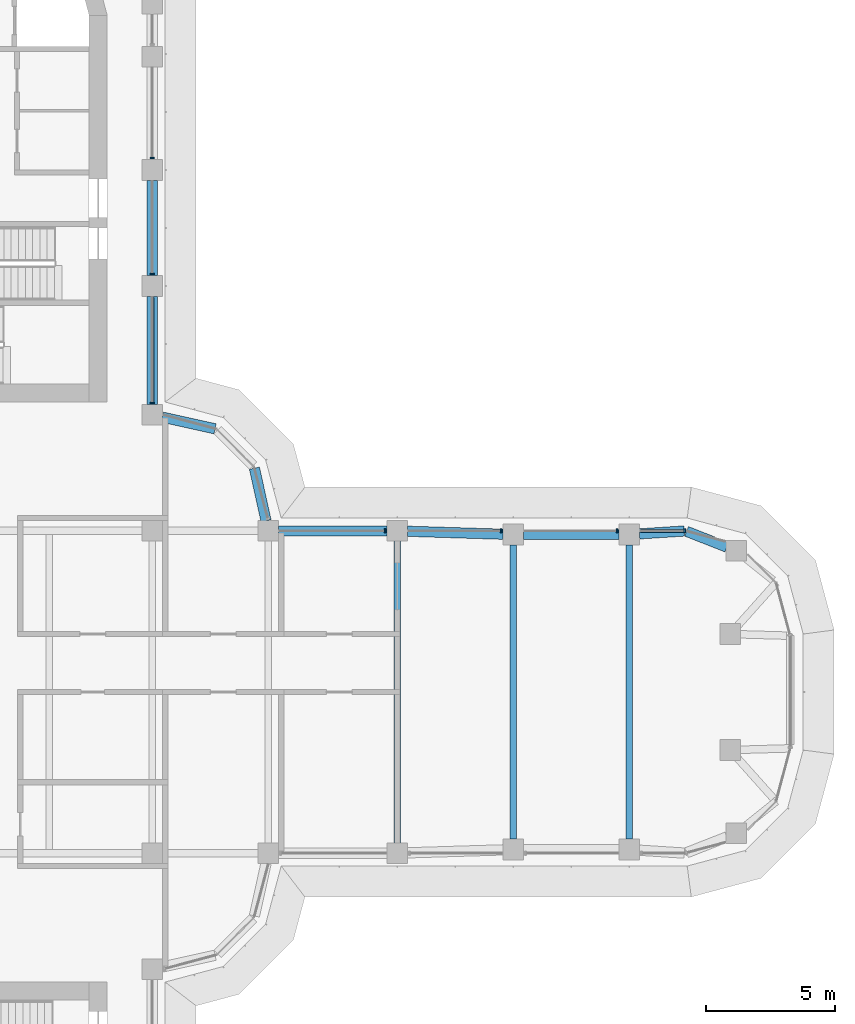
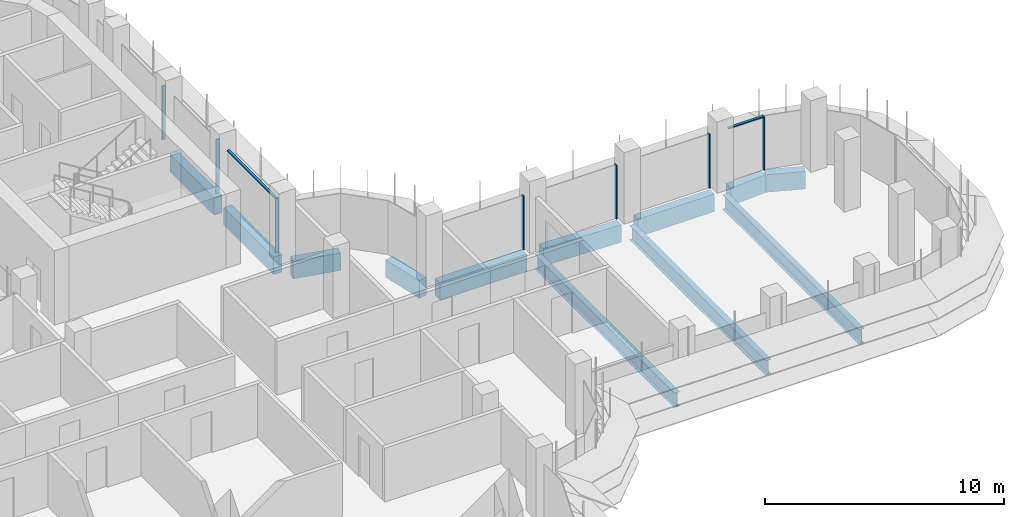
# One storey, part 8 of 20: 12 beams, 9 members, 2 elements without a shape of their own.
"""IFC4 building model written with IfcOpenShell, lengths in metres."""

from ifc_helpers import new_model, si_unit, direction, frame, origin, origin_2d, place, context, subcontext, project, spatial, polyline, rectangle, i_section, outline, extrude, source, transform, mapped, material, material_profile, profile_set, type_object, element, aggregate, save


model = new_model("IFC4")

# Units and contexts
model_context = context("Model", 3, precision=1e-05, world=origin(), true_north=direction((0.0, 1.0)))
body_context = subcontext(model_context, "Body", "Model", "MODEL_VIEW")
ifc_project = project(units=[si_unit("LENGTHUNIT", "METRE"), si_unit("AREAUNIT", "SQUARE_METRE"), si_unit("VOLUMEUNIT", "CUBIC_METRE"), si_unit("PLANEANGLEUNIT", "RADIAN"), si_unit("MASSUNIT", "GRAM", prefix="KILO")], contexts=[model_context])

# Site, building, storey
site_placement = place(None, origin())
site = spatial("IfcSite", under=ifc_project, at=site_placement, CompositionType="ELEMENT")
building_placement = place(site_placement, origin())
building = spatial("IfcBuilding", under=site, at=building_placement, Name="Zarbagh Exchange Tower", CompositionType="ELEMENT")
storey_placement = place(building_placement, frame((0.0, 0.0, 148.60009765625)))
storey = spatial("IfcBuildingStorey", under=building, at=storey_placement, Name="L35", CompositionType="ELEMENT", Elevation=148.60009765625)

# Beams
ifc_material_1 = material(Name="Steel ASTM A992 Gr 50", Category="steel")
ifc_material_profile_1 = material_profile(ifc_material_1, i_section(OverallWidth=0.26416015625, OverallDepth=0.749267578125, WebThickness=0.011962890625, FlangeThickness=0.015380859375, at=origin_2d()), Name="W30X90")
ifc_profile_set_1 = profile_set([ifc_material_profile_1], Name="Steel ASTM A992 Gr 50")
beam_type_1 = type_object("IfcBeamType", Name="Floor beam W30X90", PredefinedType="BEAM", material=ifc_profile_set_1)
beam_1_placement = place(storey_placement, frame((15.75, -5.85009765625, -0.524658203125), z_axis=(0.0, 1.0, 0.0), x_axis=(-1.0, 0.0, 0.0)))
element("IfcBeam", 1, at=beam_1_placement, inside=storey, type_object=beam_type_1, Name="Steel floor beam", PredefinedType="BEAM", context=body_context, shape_type="SweptSolid", body=[
    extrude(i_section(OverallWidth=0.26416015625, OverallDepth=0.749267578125, WebThickness=0.011962890625, FlangeThickness=0.015380859375, at=origin_2d()), origin(), (0.0, 0.0, 1.0), 11.7001953125),
])
for number, where, z_axis, x_axis, name in (
    (2, (20.25, -5.7099609375, -0.524658203125), (0.0, 1.0, 0.0), (-1.0, 0.0, 0.0), "Steel floor beam"),
    (3, (24.75, -5.7099609375, -0.524658203125), (0.0, 1.0, 0.0), (-1.0, 0.0, 0.0), "Steel floor beam"),
):
    element("IfcBeam", number, at=place(storey_placement, frame(where, z_axis=z_axis, x_axis=x_axis)), inside=storey, type_object=beam_type_1, Name=name, PredefinedType="BEAM", context=body_context, shape_type="SweptSolid", body=[
        extrude(i_section(OverallWidth=0.26416015625, OverallDepth=0.749267578125, WebThickness=0.011962890625, FlangeThickness=0.015380859375, at=origin_2d()), origin(), (0.0, 0.0, 1.0), 11.419921875),
    ])
ifc_material_2 = material(Name="Concrete C50/60", Category="concrete")
ifc_material_profile_2 = material_profile(ifc_material_2, rectangle(XDim=0.39990234375, YDim=0.89990234375, at=origin_2d()), Name="RC spandrel beam 400 x 900 C50/60")
ifc_profile_set_2 = profile_set([ifc_material_profile_2], Name="Concrete C50/60")
beam_type_2 = type_object("IfcBeamType", Name="RC spandrel beam 400 x 900 C50/60", PredefinedType="SPANDREL", material=ifc_profile_set_2)
beam_2_placement = place(storey_placement, frame((6.25, 19.85009765625, -0.60009765625), z_axis=(0.0, -1.0, 0.0), x_axis=(1.0, 0.0, 0.0)))
element("IfcBeam", 4, at=beam_2_placement, inside=storey, type_object=beam_type_2, Name="RC spandrel beam", PredefinedType="SPANDREL", context=body_context, shape_type="SweptSolid", body=[
    extrude(rectangle(XDim=0.39990234375, YDim=0.89990234375, at=origin_2d()), origin(), (0.0, 0.0, 1.0), 3.7001953125),
])
beam_3_placement = place(storey_placement, frame((6.25, 15.35009765625, -0.60009765625), z_axis=(0.0, -1.0, 0.0), x_axis=(1.0, 0.0, 0.0)))
element("IfcBeam", 5, at=beam_3_placement, inside=storey, type_object=beam_type_2, Name="RC spandrel beam", PredefinedType="SPANDREL", context=body_context, shape_type="SweptSolid", body=[
    extrude(rectangle(XDim=0.39990234375, YDim=0.89990234375, at=origin_2d()), origin(), (0.0, 0.0, 1.0), 4.2001953125),
])
for number, where, z_axis, x_axis, name in (
    (6, (6.640625, 10.66357421875, -0.60009765625), (0.976384278741, -0.216041061437, 0.0), (0.216041061437, 0.976384278741, 0.0), "RC spandrel beam"),
    (7, (10.21142578125, 8.68408203125, -0.60009765625), (0.216041061437, -0.976384278741, 0.0), (0.976384278741, 0.216041061437, 0.0), "RC spandrel beam"),
):
    element("IfcBeam", number, at=place(storey_placement, frame(where, z_axis=z_axis, x_axis=x_axis)), inside=storey, type_object=beam_type_2, Name=name, PredefinedType="SPANDREL", context=body_context, shape_type="SweptSolid", body=[
        extrude(rectangle(XDim=0.39990234375, YDim=0.89990234375, at=origin_2d()), origin(), (0.0, 0.0, 1.0), 2.0927734375),
    ])
beam_4_placement = place(storey_placement, frame((11.14990234375, 6.25, -0.60009765625), z_axis=(1.0, 0.0, 0.0), x_axis=(0.0, 1.0, 0.0)))
element("IfcBeam", 8, at=beam_4_placement, inside=storey, type_object=beam_type_2, Name="RC spandrel beam", PredefinedType="SPANDREL", context=body_context, shape_type="SweptSolid", body=[
    extrude(rectangle(XDim=0.39990234375, YDim=0.89990234375, at=origin_2d()), origin(), (0.0, 0.0, 1.0), 4.2001953125),
])
beam_5_placement = place(storey_placement, frame((16.14990234375, 6.237548828125, -0.60009765625), z_axis=(0.999515416033, -0.031127690444, 0.0), x_axis=(0.031127690444, 0.999515416033, 0.0)))
element("IfcBeam", 9, at=beam_5_placement, inside=storey, type_object=beam_type_2, Name="RC spandrel beam", PredefinedType="SPANDREL", context=body_context, shape_type="SweptSolid", body=[
    extrude(rectangle(XDim=0.39990234375, YDim=0.89990234375, at=origin_2d()), origin(), (0.0, 0.0, 1.0), 3.701904296875),
])
beam_6_placement = place(storey_placement, frame((20.64990234375, 6.110107421875, -0.60009765625), z_axis=(1.0, 0.0, 0.0), x_axis=(0.0, 1.0, 0.0)))
element("IfcBeam", 10, at=beam_6_placement, inside=storey, type_object=beam_type_2, Name="RC spandrel beam", PredefinedType="SPANDREL", context=body_context, shape_type="SweptSolid", body=[
    extrude(rectangle(XDim=0.39990234375, YDim=0.89990234375, at=origin_2d()), origin(), (0.0, 0.0, 1.0), 3.7001953125),
])
beam_7_placement = place(storey_placement, frame((25.149169921875, 6.135498046875, -0.60009765625), z_axis=(0.997942679773, 0.064112462805, 0.0), x_axis=(-0.064112462805, 0.997942679773, 0.0)))
element("IfcBeam", 11, at=beam_7_placement, inside=storey, type_object=beam_type_2, Name="RC spandrel beam", PredefinedType="SPANDREL", context=body_context, shape_type="SweptSolid", body=[
    extrude(rectangle(XDim=0.39990234375, YDim=0.89990234375, at=origin_2d()), origin(), (0.0, 0.0, 1.0), 1.744140625),
])
beam_8_placement = place(storey_placement, frame((26.9755859375, 6.233642578125, -0.60009765625), z_axis=(0.930818758612, -0.36548110569, 0.0), x_axis=(0.36548110569, 0.930818758612, 0.0)))
element("IfcBeam", 12, at=beam_8_placement, inside=storey, type_object=beam_type_2, Name="RC spandrel beam", PredefinedType="SPANDREL", context=body_context, shape_type="SweptSolid", body=[
    extrude(rectangle(XDim=0.39990234375, YDim=0.89990234375, at=origin_2d()), origin(), (0.0, 0.0, 1.0), 1.676025390625),
])

# Curtain wall, members
ifc_material_3 = material(Name="Anodised aluminium frame and glazing", Category="aluminium")
curtain_wall_type = type_object("IfcCurtainWallType", Name="CWB Ribbon glazing, upper zones", PredefinedType="NOTDEFINED", material=ifc_material_3)
curtain_wall_1_placement = place(storey_placement, origin())
curtain_wall_1 = element("IfcCurtainWall", 13, at=curtain_wall_1_placement, inside=storey, type_object=curtain_wall_type, Name="CWB16 curtain wall", PredefinedType="NOTDEFINED")
ifc_material_4 = material(Name="Anodised aluminium frame", Category="aluminium")
member_type_1 = type_object("IfcMemberType", Name="TRB Transom, anodised aluminium frame", PredefinedType="USERDEFINED", material=ifc_material_4)
shared_shape_1 = source(origin(), body_context, "Body", "SweptSolid", [
    extrude(outline(polyline([(-0.06005859375, -0.06005859375), (0.0, -0.06005859375), (0.0, 0.06005859375), (-0.06005859375, 0.06005859375), (-0.06005859375, -0.06005859375)])), origin(), (0.0, 0.0, 1.0), 1.68408203125),
])
placement = place(storey_placement, origin())
member_1 = element("IfcMember", 14, at=placement, type_object=member_type_1, Name="CWB16 transom 1.1", ObjectType="TRANSOM", PredefinedType="USERDEFINED", context=body_context, shape_type="MappedRepresentation", body=[
    mapped(shared_shape_1, transform((26.874267578125, 6.25, 2.75), x_axis=(0.0, 0.0, 1.0), y_axis=(0.0, 1.0, 0.0), z_axis=(-1.0, 0.0, 0.0))),
])
member_type_2 = type_object("IfcMemberType", Name="MUB Mullion, anodised aluminium frame", PredefinedType="MULLION", material=ifc_material_4)
shared_shape_2 = source(origin(), body_context, "Body", "SweptSolid", [
    extrude(outline(polyline([(0.0, -0.080078125), (0.06005859375, -0.080078125), (0.06005859375, 0.080078125), (0.0, 0.080078125), (0.0, -0.080078125)])), origin(), (0.0, 0.0, 1.0), 2.75),
])
member_2 = element("IfcMember", 15, at=placement, type_object=member_type_2, Name="CWB16 mullion 1.1", PredefinedType="MULLION", context=body_context, shape_type="MappedRepresentation", body=[
    mapped(shared_shape_2, transform((26.93408203125, 6.25, 0.0), x_axis=(-1.0, 0.0, 0.0), y_axis=(0.0, -1.0, 0.0), z_axis=(0.0, 0.0, 1.0))),
])
member_3 = element("IfcMember", 16, at=placement, type_object=member_type_2, Name="CWB16 mullion 2.1", PredefinedType="MULLION", context=body_context, shape_type="MappedRepresentation", body=[
    mapped(shared_shape_2, transform((24.31005859375, 6.25, 0.0), x_axis=(-1.0, 0.0, 0.0), y_axis=(0.0, -1.0, 0.0), z_axis=(0.0, 0.0, 1.0))),
])
member_4 = element("IfcMember", 17, at=placement, type_object=member_type_2, Name="CWB16 mullion 3.1", PredefinedType="MULLION", context=body_context, shape_type="MappedRepresentation", body=[
    mapped(shared_shape_2, transform((19.81005859375, 6.25, 0.0), x_axis=(-1.0, 0.0, 0.0), y_axis=(0.0, -1.0, 0.0), z_axis=(0.0, 0.0, 1.0))),
])
member_5 = element("IfcMember", 18, at=placement, type_object=member_type_2, Name="CWB16 mullion 4.1", PredefinedType="MULLION", context=body_context, shape_type="MappedRepresentation", body=[
    mapped(shared_shape_2, transform((15.31005859375, 6.25, 0.0), x_axis=(-1.0, 0.0, 0.0), y_axis=(0.0, -1.0, 0.0), z_axis=(0.0, 0.0, 1.0))),
])
aggregate(curtain_wall_1, [member_2, member_1, member_3, member_4, member_5])

curtain_wall_2_placement = place(storey_placement, origin())
curtain_wall_2 = element("IfcCurtainWall", 19, at=curtain_wall_2_placement, inside=storey, type_object=curtain_wall_type, Name="CWB20 curtain wall", PredefinedType="NOTDEFINED")
member_6 = element("IfcMember", 20, at=placement, type_object=member_type_2, Name="CWB20 mullion 1.1", PredefinedType="MULLION", context=body_context, shape_type="MappedRepresentation", body=[
    mapped(shared_shape_2, transform((6.25, 11.18994140625, 0.0), x_axis=(0.0, 1.0, 0.0), y_axis=(-1.0, 0.0, 0.0), z_axis=(0.0, 0.0, 1.0))),
])
member_7 = element("IfcMember", 21, at=placement, type_object=member_type_2, Name="CWB20 mullion 2.1", PredefinedType="MULLION", context=body_context, shape_type="MappedRepresentation", body=[
    mapped(shared_shape_2, transform((6.25, 16.18994140625, 0.0), x_axis=(0.0, 1.0, 0.0), y_axis=(-1.0, 0.0, 0.0), z_axis=(0.0, 0.0, 1.0))),
])
member_8 = element("IfcMember", 22, at=placement, type_object=member_type_2, Name="CWB20 mullion 3.1", PredefinedType="MULLION", context=body_context, shape_type="MappedRepresentation", body=[
    mapped(shared_shape_2, transform((6.25, 20.68994140625, 0.0), x_axis=(0.0, 1.0, 0.0), y_axis=(-1.0, 0.0, 0.0), z_axis=(0.0, 0.0, 1.0))),
])
shared_shape_3 = source(origin(), body_context, "Body", "SweptSolid", [
    extrude(outline(polyline([(-0.06005859375, -0.06005859375), (0.0, -0.06005859375), (0.0, 0.06005859375), (-0.06005859375, 0.06005859375), (-0.06005859375, -0.06005859375)])), origin(), (0.0, 0.0, 1.0), 4.06005859375),
])
member_9 = element("IfcMember", 23, at=placement, type_object=member_type_1, Name="CWB20 transom 1.1", ObjectType="TRANSOM", PredefinedType="USERDEFINED", context=body_context, shape_type="MappedRepresentation", body=[
    mapped(shared_shape_3, transform((6.25, 11.25, 2.75), x_axis=(0.0, 0.0, 1.0), y_axis=(1.0, 0.0, 0.0), z_axis=(0.0, 1.0, 0.0))),
])
aggregate(curtain_wall_2, [member_6, member_9, member_7, member_8])

save(model, "model.ifc")
